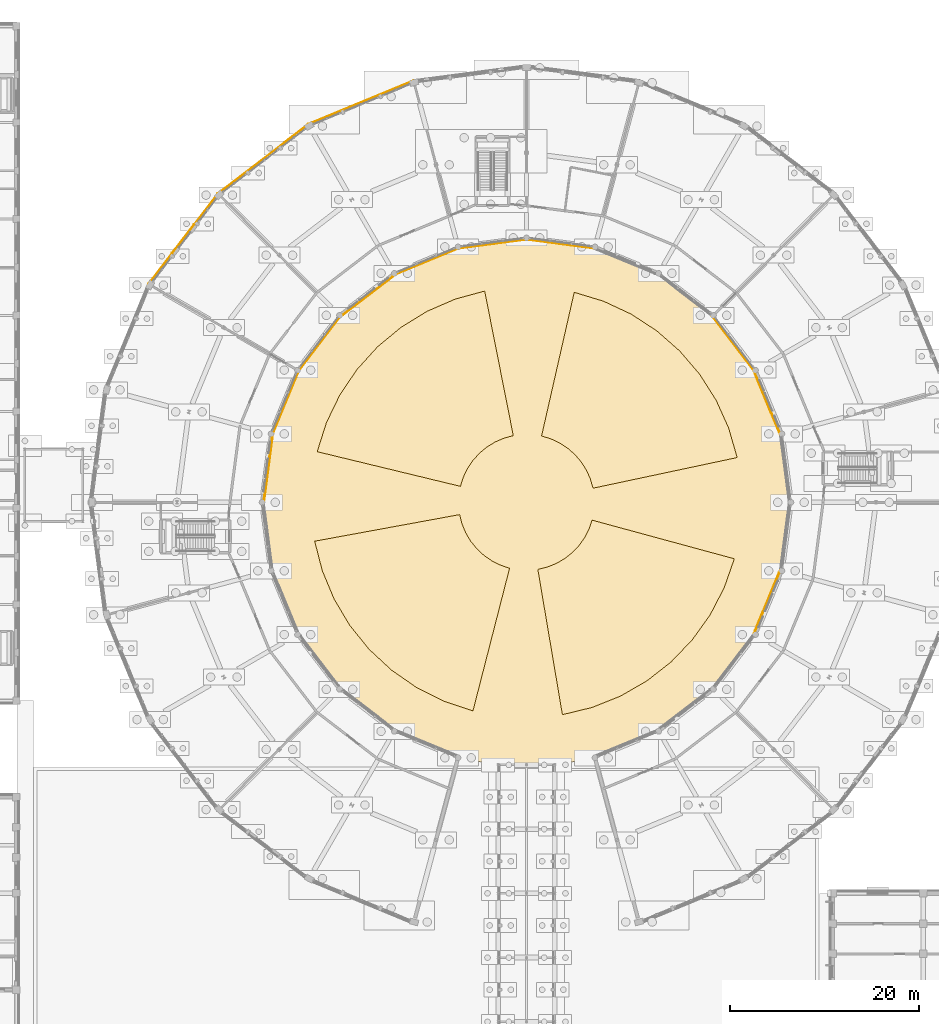
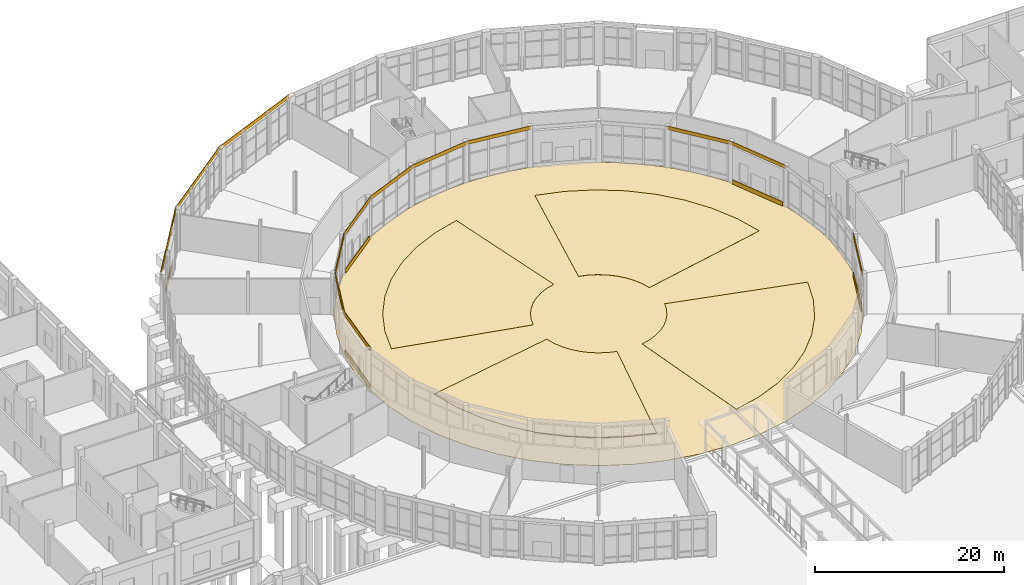
# One storey, part 129 of 137: 23 coverings.
"""IFC4 building model written with IfcOpenShell, lengths in metres."""

from ifc_helpers import new_model, si_unit, direction, frame, origin, origin_2d, place, context, subcontext, project, spatial, polyline, rectangle, outline, extrude, material, layer, layer_set, type_object, element, save


model = new_model("IFC4")

# Units and contexts
model_context = context("Model", 3, precision=1e-05, world=origin(), true_north=direction((0.0, 1.0)))
body_context = subcontext(model_context, "Body", "Model", "MODEL_VIEW")
ifc_project = project(units=[si_unit("LENGTHUNIT", "METRE"), si_unit("AREAUNIT", "SQUARE_METRE"), si_unit("VOLUMEUNIT", "CUBIC_METRE"), si_unit("PLANEANGLEUNIT", "RADIAN"), si_unit("MASSUNIT", "GRAM", prefix="KILO")], contexts=[model_context])

# Site, building, storey
site_placement = place(None, origin())
site = spatial("IfcSite", under=ifc_project, at=site_placement, CompositionType="ELEMENT")
building_placement = place(site_placement, origin())
building = spatial("IfcBuilding", under=site, at=building_placement, Name="Vondelvale Polytechnic", CompositionType="ELEMENT")
storey_placement = place(building_placement, origin())
storey = spatial("IfcBuildingStorey", under=building, at=storey_placement, Name="L00", CompositionType="ELEMENT", Elevation=0.0)

# Coverings
ifc_material_1 = material(Name="Malmsbury bluestone ashlar stone masonry", Category="masonry")
ifc_layer_1 = layer(ifc_material_1, 0.080078125)
ifc_layer_set_1 = layer_set([ifc_layer_1], Name="COV-BLUESTONE-PLINTH")
covering_type_1 = type_object("IfcCoveringType", Name="COV-BLUESTONE-PLINTH", PredefinedType="CLADDING", material=ifc_layer_set_1)
covering_1_placement = place(storey_placement, frame((127.46630859375, 82.54833984375, 0.0), z_axis=(0.0, 0.0, 1.0), x_axis=(-0.382683432365, 0.923879532511, 0.0)))
element("IfcCovering", 1, at=covering_1_placement, inside=storey, type_object=covering_type_1, Name="L00 exterior corbelled masonry relief band", PredefinedType="CLADDING", context=body_context, shape_type="SweptSolid", body=[
    extrude(rectangle(XDim=6.6474609375, YDim=0.080078125, at=origin_2d()), origin(), (0.0, 0.0, 1.0), 0.550048828125),
])
covering_2_placement = place(storey_placement, frame((85.2197265625, 93.868408203125, 0.0), z_axis=(0.0, 0.0, 1.0), x_axis=(-0.793353340291, -0.608761429009, 0.0)))
element("IfcCovering", 2, at=covering_2_placement, inside=storey, type_object=covering_type_1, Name="L00 exterior corbelled masonry relief band", PredefinedType="CLADDING", context=body_context, shape_type="SweptSolid", body=[
    extrude(rectangle(XDim=6.64990234375, YDim=0.080078125, at=origin_2d()), origin(), (0.0, 0.0, 1.0), 0.550048828125),
])
covering_3_placement = place(storey_placement, frame((65.650634765625, 99.891845703125, 0.0), z_axis=(0.0, 0.0, 1.0), x_axis=(0.608761429009, 0.793353340291, 0.0)))
element("IfcCovering", 3, at=covering_3_placement, inside=storey, type_object=covering_type_1, Name="L00 exterior corbelled masonry relief band", PredefinedType="CLADDING", context=body_context, shape_type="SweptSolid", body=[
    extrude(rectangle(XDim=3.81103515625, YDim=0.080078125, at=origin_2d()), origin(), (0.0, 0.0, 1.0), 0.550048828125),
])
covering_4_placement = place(storey_placement, frame((74.67138671875, 75.597900390625, 0.0), z_axis=(0.0, 0.0, 1.0), x_axis=(-0.13052619222, -0.991444861374, 0.0)))
element("IfcCovering", 4, at=covering_4_placement, inside=storey, type_object=covering_type_1, Name="L00 exterior corbelled masonry relief band", PredefinedType="CLADDING", context=body_context, shape_type="SweptSolid", body=[
    extrude(rectangle(XDim=6.650146484375, YDim=0.080078125, at=origin_2d()), origin(), (0.0, 0.0, 1.0), 0.550048828125),
])
covering_5_placement = place(storey_placement, frame((127.46630859375, 61.45166015625, 0.0), z_axis=(0.0, 0.0, 1.0), x_axis=(0.382683432365, 0.923879532511, 0.0)))
element("IfcCovering", 5, at=covering_5_placement, inside=storey, type_object=covering_type_1, Name="L00 exterior corbelled masonry relief band", PredefinedType="CLADDING", context=body_context, shape_type="SweptSolid", body=[
    extrude(rectangle(XDim=6.6474609375, YDim=0.080078125, at=origin_2d()), origin(), (0.0, 0.0, 1.0), 0.550048828125),
])
ifc_material_2 = material(Name="Planted botanical courtyard lawn and permeable bluestone paving", Category="masonry")
ifc_layer_2 = layer(ifc_material_2, 0.050048828125)
ifc_layer_set_2 = layer_set([ifc_layer_2], Name="COV-COURT-LAWN")
covering_type_2 = type_object("IfcCoveringType", Name="COV-COURT-LAWN", PredefinedType="USERDEFINED", material=ifc_layer_set_2)
covering_6_placement = place(storey_placement, frame((0.0, 0.0, -0.0400390625)))
element("IfcCovering", 6, at=covering_6_placement, inside=storey, type_object=covering_type_2, Name="Central courtyard planted botanical garden quadrant 1", ObjectType="PAVING", PredefinedType="USERDEFINED", context=body_context, shape_type="SweptSolid", body=[
    extrude(outline(polyline([(124.3017578125, 76.740478515625), (123.404541015625, 79.85400390625), (122.074951171875, 82.80908203125), (120.33984375, 85.5458984375), (118.234130859375, 88.009033203125), (115.80078125, 90.148681640625), (113.08837890625, 91.922119140625), (110.152099609375, 93.292724609375), (107.05126953125, 94.2333984375), (103.59521484375, 79.02099609375), (104.574462890625, 78.72412109375), (105.501708984375, 78.291259765625), (106.358154296875, 77.731201171875), (107.126708984375, 77.055419921875), (107.79150390625, 76.277587890625), (108.33935546875, 75.413330078125), (108.75927734375, 74.480224609375), (109.042724609375, 73.4970703125), (124.3017578125, 76.740478515625)])), origin(), (0.0, 0.0, 1.0), 0.050048828125),
])
covering_7_placement = place(storey_placement, frame((0.0, 0.0, -0.0400390625)))
element("IfcCovering", 7, at=covering_7_placement, inside=storey, type_object=covering_type_2, Name="Central courtyard planted botanical garden quadrant 2", ObjectType="PAVING", PredefinedType="USERDEFINED", context=body_context, shape_type="SweptSolid", body=[
    extrude(outline(polyline([(97.571533203125, 94.36572265625), (94.445556640625, 93.51220703125), (91.47216796875, 92.223876953125), (88.71142578125, 90.527099609375), (86.218994140625, 88.4560546875), (84.045654296875, 86.052734375), (82.23486328125, 83.365478515625), (80.822998046875, 80.44873046875), (79.83935546875, 77.361083984375), (95.001953125, 73.693115234375), (95.3125, 74.66796875), (95.75830078125, 75.589111328125), (96.330078125, 76.437744140625), (97.0166015625, 77.19677734375), (97.8037109375, 77.8505859375), (98.67529296875, 78.386474609375), (99.614501953125, 78.793212890625), (100.6015625, 79.06298828125), (97.571533203125, 94.36572265625)])), origin(), (0.0, 0.0, 1.0), 0.050048828125),
])
covering_8_placement = place(storey_placement, frame((0.0, 0.0, -0.0400390625)))
element("IfcCovering", 8, at=covering_8_placement, inside=storey, type_object=covering_type_2, Name="Central courtyard planted botanical garden quadrant 3", ObjectType="PAVING", PredefinedType="USERDEFINED", context=body_context, shape_type="SweptSolid", body=[
    extrude(outline(polyline([(79.57470703125, 67.88427734375), (80.384521484375, 64.74658203125), (81.631103515625, 61.755615234375), (83.289306640625, 58.971435546875), (85.3251953125, 56.450439453125), (87.697998046875, 54.24365234375), (90.359619140625, 52.3955078125), (93.25634765625, 50.943115234375), (96.329833984375, 49.916259765625), (100.20947265625, 65.026123046875), (99.239013671875, 65.3505859375), (98.32421875, 65.80908203125), (97.483642578125, 66.392578125), (96.734375, 67.089599609375), (96.09130859375, 67.8857421875), (95.567626953125, 68.764892578125), (95.174072265625, 69.70947265625), (94.918212890625, 70.7001953125), (79.57470703125, 67.88427734375)])), origin(), (0.0, 0.0, 1.0), 0.050048828125),
])
covering_9_placement = place(storey_placement, frame((0.0, 0.0, -0.0400390625)))
element("IfcCovering", 9, at=covering_9_placement, inside=storey, type_object=covering_type_2, Name="Central courtyard planted botanical garden quadrant 4", ObjectType="PAVING", PredefinedType="USERDEFINED", context=body_context, shape_type="SweptSolid", body=[
    extrude(outline(polyline([(105.80224609375, 49.519287109375), (108.950927734375, 50.285400390625), (111.958984375, 51.489990234375), (114.76611328125, 53.109130859375), (117.315185546875, 55.109619140625), (119.554931640625, 57.451416015625), (121.440185546875, 60.0869140625), (122.9326171875, 62.96337890625), (124.00244140625, 66.022216796875), (108.947998046875, 70.1123046875), (108.6103515625, 69.146240234375), (108.138916015625, 68.238037109375), (107.543701171875, 67.40576171875), (106.83642578125, 66.666259765625), (106.031494140625, 66.034423828125), (105.14501953125, 65.523193359375), (104.195068359375, 65.142822265625), (103.20068359375, 64.90087890625), (105.80224609375, 49.519287109375)])), origin(), (0.0, 0.0, 1.0), 0.050048828125),
])
ifc_layer_3 = layer(ifc_material_1, 0.050048828125)
ifc_layer_set_3 = layer_set([ifc_layer_3], Name="COV-COURT-PAVING")
covering_type_3 = type_object("IfcCoveringType", Name="COV-COURT-PAVING", PredefinedType="USERDEFINED", material=ifc_layer_set_3)
covering_10_placement = place(storey_placement, frame((0.0, 0.0, -0.050048828125)))
element("IfcCovering", 10, at=covering_10_placement, inside=storey, type_object=covering_type_3, Name="Central courtyard bluestone cloister walk & sundial plaza", ObjectType="PAVING", PredefinedType="USERDEFINED", context=body_context, shape_type="SweptSolid", body=[
    extrude(outline(polyline([(129.93994140625, 72.0), (129.700927734375, 75.64697265625), (128.988037109375, 79.2314453125), (127.813232421875, 82.692138671875), (126.19677734375, 85.969970703125), (124.166259765625, 89.0087890625), (121.756591796875, 91.756591796875), (119.0087890625, 94.166259765625), (115.969970703125, 96.19677734375), (112.692138671875, 97.813232421875), (109.2314453125, 98.988037109375), (105.64697265625, 99.700927734375), (102.0, 99.93994140625), (98.35302734375, 99.700927734375), (94.7685546875, 98.988037109375), (91.307861328125, 97.813232421875), (88.030029296875, 96.19677734375), (84.9912109375, 94.166259765625), (82.243408203125, 91.756591796875), (79.833740234375, 89.0087890625), (77.80322265625, 85.969970703125), (76.186767578125, 82.692138671875), (75.011962890625, 79.2314453125), (74.299072265625, 75.64697265625), (74.06005859375, 72.0), (74.299072265625, 68.35302734375), (75.011962890625, 64.7685546875), (76.186767578125, 61.307861328125), (77.80322265625, 58.030029296875), (79.833740234375, 54.9912109375), (82.243408203125, 52.243408203125), (84.9912109375, 49.833740234375), (88.030029296875, 47.80322265625), (91.307861328125, 46.186767578125), (94.7685546875, 45.011962890625), (98.35302734375, 44.299072265625), (102.0, 44.06005859375), (105.64697265625, 44.299072265625), (109.2314453125, 45.011962890625), (112.692138671875, 46.186767578125), (115.969970703125, 47.80322265625), (119.0087890625, 49.833740234375), (121.756591796875, 52.243408203125), (124.166259765625, 54.9912109375), (126.19677734375, 58.030029296875), (127.813232421875, 61.307861328125), (128.988037109375, 64.7685546875), (129.700927734375, 68.35302734375), (129.93994140625, 72.0)]), holes=[polyline([(124.3017578125, 76.740478515625), (123.404541015625, 79.85400390625), (122.074951171875, 82.80908203125), (120.33984375, 85.5458984375), (118.234130859375, 88.009033203125), (115.80078125, 90.148681640625), (113.08837890625, 91.922119140625), (110.152099609375, 93.292724609375), (107.05126953125, 94.2333984375), (103.59521484375, 79.02099609375), (104.574462890625, 78.72412109375), (105.501708984375, 78.291259765625), (106.358154296875, 77.731201171875), (107.126708984375, 77.055419921875), (107.79150390625, 76.277587890625), (108.33935546875, 75.413330078125), (108.75927734375, 74.480224609375), (109.042724609375, 73.4970703125), (124.3017578125, 76.740478515625)]), polyline([(97.571533203125, 94.36572265625), (94.445556640625, 93.51220703125), (91.47216796875, 92.223876953125), (88.71142578125, 90.527099609375), (86.218994140625, 88.4560546875), (84.045654296875, 86.052734375), (82.23486328125, 83.365478515625), (80.822998046875, 80.44873046875), (79.83935546875, 77.361083984375), (95.001953125, 73.693115234375), (95.3125, 74.66796875), (95.75830078125, 75.589111328125), (96.330078125, 76.437744140625), (97.0166015625, 77.19677734375), (97.8037109375, 77.8505859375), (98.67529296875, 78.386474609375), (99.614501953125, 78.793212890625), (100.6015625, 79.06298828125), (97.571533203125, 94.36572265625)]), polyline([(79.57470703125, 67.88427734375), (80.384521484375, 64.74658203125), (81.631103515625, 61.755615234375), (83.289306640625, 58.971435546875), (85.3251953125, 56.450439453125), (87.697998046875, 54.24365234375), (90.359619140625, 52.3955078125), (93.25634765625, 50.943115234375), (96.329833984375, 49.916259765625), (100.20947265625, 65.026123046875), (99.239013671875, 65.3505859375), (98.32421875, 65.80908203125), (97.483642578125, 66.392578125), (96.734375, 67.089599609375), (96.09130859375, 67.8857421875), (95.567626953125, 68.764892578125), (95.174072265625, 69.70947265625), (94.918212890625, 70.7001953125), (79.57470703125, 67.88427734375)]), polyline([(105.80224609375, 49.519287109375), (108.950927734375, 50.285400390625), (111.958984375, 51.489990234375), (114.76611328125, 53.109130859375), (117.315185546875, 55.109619140625), (119.554931640625, 57.451416015625), (121.440185546875, 60.0869140625), (122.9326171875, 62.96337890625), (124.00244140625, 66.022216796875), (108.947998046875, 70.1123046875), (108.6103515625, 69.146240234375), (108.138916015625, 68.238037109375), (107.543701171875, 67.40576171875), (106.83642578125, 66.666259765625), (106.031494140625, 66.034423828125), (105.14501953125, 65.523193359375), (104.195068359375, 65.142822265625), (103.20068359375, 64.90087890625), (105.80224609375, 49.519287109375)])]), origin(), (0.0, 0.0, 1.0), 0.050048828125),
])
ifc_material_3 = material(Name="Engineered Tasmanian oak studio and bridge joinery")
ifc_layer_4 = layer(ifc_material_3, 0.06494140625)
ifc_layer_set_4 = layer_set([ifc_layer_4], Name="COV-OAK-SPANDREL")
covering_type_4 = type_object("IfcCoveringType", Name="COV-OAK-SPANDREL", PredefinedType="CLADDING", material=ifc_layer_set_4)
for number, where, z_axis, x_axis, name in (
    (11, (127.4892578125, 82.55810546875, 4.9501953125), (0.0, 0.0, 1.0), (-0.382683432365, 0.923879532511, 0.0), "L00 exterior masonry spandrel band"),
    (12, (123.88818359375, 88.79541015625, 4.9501953125), (0.0, 0.0, 1.0), (-0.608761429009, 0.793353340291, 0.0), "L00 exterior masonry spandrel band"),
):
    element("IfcCovering", number, at=place(storey_placement, frame(where, z_axis=z_axis, x_axis=x_axis)), inside=storey, type_object=covering_type_4, Name=name, PredefinedType="CLADDING", context=body_context, shape_type="SweptSolid", body=[
        extrude(rectangle(XDim=7.3095703125, YDim=0.06494140625, at=origin_2d()), origin(), (0.0, 0.0, 1.0), 0.449951171875),
    ])
for number, where, z_axis, x_axis, name in (
    (13, (105.60107421875, 99.353515625, 4.9501953125), (0.0, 0.0, 1.0), (-0.991444861374, 0.13052619222, 0.0), "L00 exterior masonry spandrel band"),
    (14, (98.39892578125, 99.353515625, 4.9501953125), (0.0, 0.0, 1.0), (-0.991444861374, -0.13052619222, 0.0), "L00 exterior masonry spandrel band"),
):
    element("IfcCovering", number, at=place(storey_placement, frame(where, z_axis=z_axis, x_axis=x_axis)), inside=storey, type_object=covering_type_4, Name=name, PredefinedType="CLADDING", context=body_context, shape_type="SweptSolid", body=[
        extrude(rectangle(XDim=7.309326171875, YDim=0.06494140625, at=origin_2d()), origin(), (0.0, 0.0, 1.0), 0.449951171875),
    ])
covering_11_placement = place(storey_placement, frame((91.44189453125, 97.4892578125, 4.9501953125), z_axis=(0.0, 0.0, 1.0), x_axis=(-0.923879532511, -0.382683432365, 0.0)))
element("IfcCovering", 15, at=covering_11_placement, inside=storey, type_object=covering_type_4, Name="L00 exterior masonry spandrel band", PredefinedType="CLADDING", context=body_context, shape_type="SweptSolid", body=[
    extrude(rectangle(XDim=7.3095703125, YDim=0.06494140625, at=origin_2d()), origin(), (0.0, 0.0, 1.0), 0.449951171875),
])
covering_12_placement = place(storey_placement, frame((84.466552734375, 114.32958984375, 4.919921875), z_axis=(0.0, 0.0, 1.0), x_axis=(-0.923879532511, -0.382683432365, 0.0)))
element("IfcCovering", 16, at=covering_12_placement, inside=storey, type_object=covering_type_4, Name="L00 exterior masonry spandrel band", PredefinedType="CLADDING", context=body_context, shape_type="SweptSolid", body=[
    extrude(rectangle(XDim=12.00830078125, YDim=0.06494140625, at=origin_2d()), origin(), (0.0, 0.0, 1.0), 0.47998046875),
])
covering_13_placement = place(storey_placement, frame((85.20458984375, 93.88818359375, 4.9501953125), z_axis=(0.0, 0.0, 1.0), x_axis=(-0.793353340291, -0.608761429009, 0.0)))
element("IfcCovering", 17, at=covering_13_placement, inside=storey, type_object=covering_type_4, Name="L00 exterior masonry spandrel band", PredefinedType="CLADDING", context=body_context, shape_type="SweptSolid", body=[
    extrude(rectangle(XDim=7.3095703125, YDim=0.06494140625, at=origin_2d()), origin(), (0.0, 0.0, 1.0), 0.449951171875),
])
covering_14_placement = place(storey_placement, frame((74.1083984375, 108.34912109375, 4.919921875), z_axis=(0.0, 0.0, 1.0), x_axis=(-0.793353340291, -0.608761429009, 0.0)))
element("IfcCovering", 18, at=covering_14_placement, inside=storey, type_object=covering_type_4, Name="L00 exterior masonry spandrel band", PredefinedType="CLADDING", context=body_context, shape_type="SweptSolid", body=[
    extrude(rectangle(XDim=12.00830078125, YDim=0.06494140625, at=origin_2d()), origin(), (0.0, 0.0, 1.0), 0.47998046875),
])
covering_15_placement = place(storey_placement, frame((80.11181640625, 88.79541015625, 4.9501953125), z_axis=(0.0, 0.0, 1.0), x_axis=(-0.608761429009, -0.793353340291, 0.0)))
element("IfcCovering", 19, at=covering_15_placement, inside=storey, type_object=covering_type_4, Name="L00 exterior masonry spandrel band", PredefinedType="CLADDING", context=body_context, shape_type="SweptSolid", body=[
    extrude(rectangle(XDim=7.3095703125, YDim=0.06494140625, at=origin_2d()), origin(), (0.0, 0.0, 1.0), 0.449951171875),
])
covering_16_placement = place(storey_placement, frame((65.65087890625, 99.8916015625, 4.919921875), z_axis=(0.0, 0.0, 1.0), x_axis=(-0.608761429009, -0.793353340291, 0.0)))
element("IfcCovering", 20, at=covering_16_placement, inside=storey, type_object=covering_type_4, Name="L00 exterior masonry spandrel band", PredefinedType="CLADDING", context=body_context, shape_type="SweptSolid", body=[
    extrude(rectangle(XDim=12.00830078125, YDim=0.06494140625, at=origin_2d()), origin(), (0.0, 0.0, 1.0), 0.47998046875),
])
covering_17_placement = place(storey_placement, frame((76.5107421875, 82.55810546875, 4.9501953125), z_axis=(0.0, 0.0, 1.0), x_axis=(-0.382683432365, -0.923879532511, 0.0)))
element("IfcCovering", 21, at=covering_17_placement, inside=storey, type_object=covering_type_4, Name="L00 exterior masonry spandrel band", PredefinedType="CLADDING", context=body_context, shape_type="SweptSolid", body=[
    extrude(rectangle(XDim=7.3095703125, YDim=0.06494140625, at=origin_2d()), origin(), (0.0, 0.0, 1.0), 0.449951171875),
])
covering_18_placement = place(storey_placement, frame((74.646484375, 75.60107421875, 4.9501953125), z_axis=(0.0, 0.0, 1.0), x_axis=(-0.13052619222, -0.991444861374, 0.0)))
element("IfcCovering", 22, at=covering_18_placement, inside=storey, type_object=covering_type_4, Name="L00 exterior masonry spandrel band", PredefinedType="CLADDING", context=body_context, shape_type="SweptSolid", body=[
    extrude(rectangle(XDim=7.309326171875, YDim=0.06494140625, at=origin_2d()), origin(), (0.0, 0.0, 1.0), 0.449951171875),
])
covering_19_placement = place(storey_placement, frame((127.4892578125, 61.44189453125, 4.9501953125), z_axis=(0.0, 0.0, 1.0), x_axis=(0.382683432365, 0.923879532511, 0.0)))
element("IfcCovering", 23, at=covering_19_placement, inside=storey, type_object=covering_type_4, Name="L00 exterior masonry spandrel band", PredefinedType="CLADDING", context=body_context, shape_type="SweptSolid", body=[
    extrude(rectangle(XDim=7.3095703125, YDim=0.06494140625, at=origin_2d()), origin(), (0.0, 0.0, 1.0), 0.449951171875),
])

save(model, "model.ifc")
